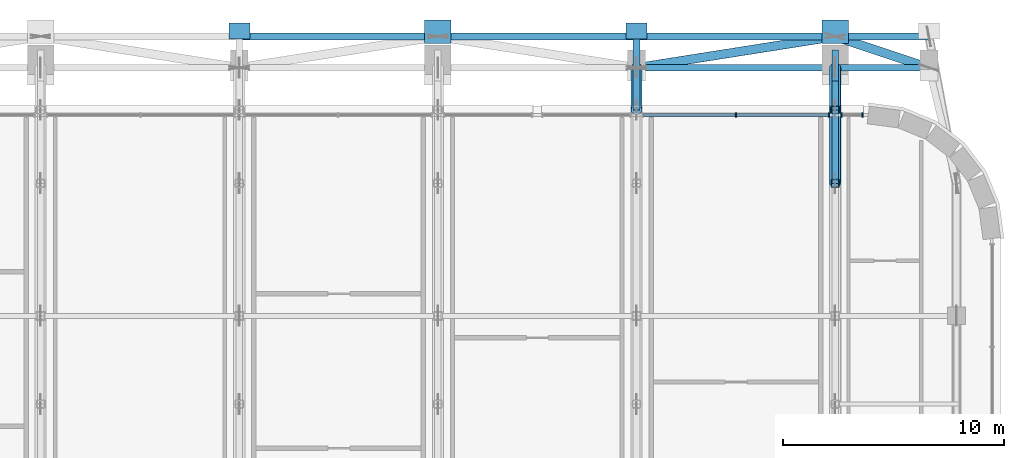
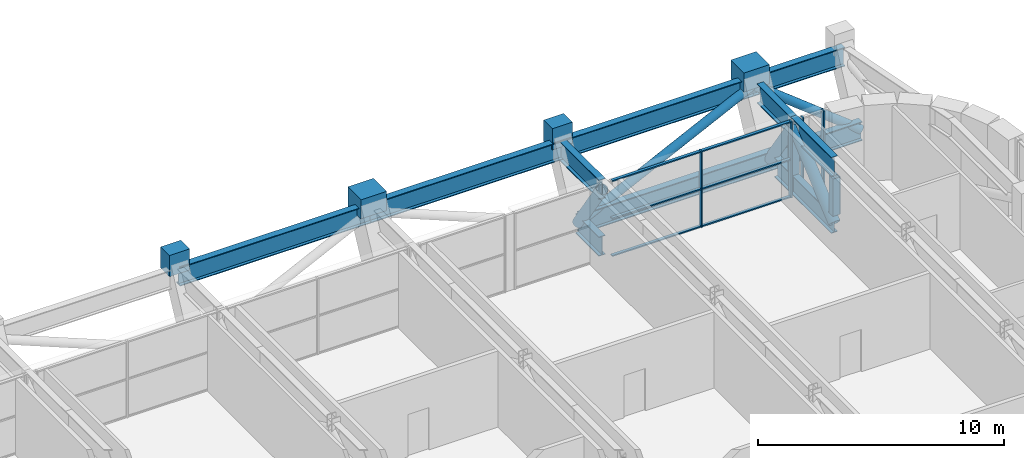
# One storey, part 12 of 28: 29 members, 4 beams, 2 elements without a shape of their own.
"""IFC4 building model written with IfcOpenShell, lengths in metres."""

from ifc_helpers import new_model, si_unit, direction, frame, origin, origin_2d, place, context, subcontext, project, spatial, rectangle, hollow_rectangle, hollow_circle, i_section, extrude, material, material_profile, profile_set, type_object, element, aggregate, save


model = new_model("IFC4")

# Units and contexts
model_context = context("Model", 3, precision=1e-05, world=origin(), true_north=direction((0.0, 1.0)))
body_context = subcontext(model_context, "Body", "Model", "MODEL_VIEW")
ifc_project = project(units=[si_unit("LENGTHUNIT", "METRE"), si_unit("AREAUNIT", "SQUARE_METRE"), si_unit("VOLUMEUNIT", "CUBIC_METRE"), si_unit("PLANEANGLEUNIT", "RADIAN"), si_unit("MASSUNIT", "GRAM", prefix="KILO")], contexts=[model_context])

# Site, building, storey
site_placement = place(None, origin())
site = spatial("IfcSite", under=ifc_project, at=site_placement, CompositionType="ELEMENT")
building_placement = place(site_placement, origin())
building = spatial("IfcBuilding", under=site, at=building_placement, Name="Zellij Exchange Tower", CompositionType="ELEMENT")
storey_placement = place(building_placement, frame((0.0, 0.0, 268.5)))
storey = spatial("IfcBuildingStorey", under=building, at=storey_placement, Name="L63", CompositionType="ELEMENT", Elevation=268.5)

# Curtain wall, members
ifc_material_1 = material(Name="Aluminium frame, clear insulating glass", Category="aluminium")
curtain_wall_type = type_object("IfcCurtainWallType", Name="ENV-CW2 Outrigger-storey glazing", PredefinedType="NOTDEFINED", material=ifc_material_1)
curtain_wall_1_placement = place(storey_placement, origin())
curtain_wall_1 = element("IfcCurtainWall", 1, at=curtain_wall_1_placement, inside=storey, type_object=curtain_wall_type, Name="cw.L63.14a.a", PredefinedType="NOTDEFINED")
ifc_material_2 = material(Name="Aluminium", Category="aluminium")
ifc_material_profile_1 = material_profile(ifc_material_2, rectangle(XDim=0.06005859375, YDim=0.199951171875, at=origin_2d()), Name="AL 60x200")
ifc_profile_set_1 = profile_set([ifc_material_profile_1], Name="Aluminium")
member_type_1 = type_object("IfcMemberType", Name="ENV-CW2M Mullion 60x200", PredefinedType="MULLION", material=ifc_profile_set_1)
member_1_placement = place(storey_placement, frame((28.243896484375, 31.10009765625, 0.0), z_axis=(0.0, 0.0, 1.0), x_axis=(-1.0, 0.0, 0.0)))
member_1 = element("IfcMember", 2, at=member_1_placement, type_object=member_type_1, Name="CW2 mullion 1", PredefinedType="MULLION", context=body_context, shape_type="SweptSolid", body=[
    extrude(rectangle(XDim=0.06005859375, YDim=0.199951171875, at=origin_2d()), origin(), (0.0, 0.0, 1.0), 3.780029296875),
])
member_2_placement = place(storey_placement, frame((27.27978515625, 31.10009765625, 0.0), z_axis=(0.0, 0.0, 1.0), x_axis=(-1.0, 0.0, 0.0)))
member_2 = element("IfcMember", 3, at=member_2_placement, type_object=member_type_1, Name="CW2 mullion 2", PredefinedType="MULLION", context=body_context, shape_type="SweptSolid", body=[
    extrude(rectangle(XDim=0.06005859375, YDim=0.199951171875, at=origin_2d()), origin(), (0.0, 0.0, 1.0), 3.780029296875),
])
aggregate(curtain_wall_1, [member_1, member_2])

curtain_wall_2_placement = place(storey_placement, origin())
curtain_wall_2 = element("IfcCurtainWall", 4, at=curtain_wall_2_placement, inside=storey, type_object=curtain_wall_type, Name="cw.L63.14a.b", PredefinedType="NOTDEFINED")
member_3_placement = place(storey_placement, frame((26.72021484375, 31.10009765625, 0.0), z_axis=(0.0, 0.0, 1.0), x_axis=(-1.0, 0.0, 0.0)))
member_3 = element("IfcMember", 5, at=member_3_placement, type_object=member_type_1, Name="CW2 mullion 1", PredefinedType="MULLION", context=body_context, shape_type="SweptSolid", body=[
    extrude(rectangle(XDim=0.06005859375, YDim=0.199951171875, at=origin_2d()), origin(), (0.0, 0.0, 1.0), 3.780029296875),
])
member_4_placement = place(storey_placement, frame((22.5, 31.10009765625, 0.0), z_axis=(0.0, 0.0, 1.0), x_axis=(-1.0, 0.0, 0.0)))
member_4 = element("IfcMember", 6, at=member_4_placement, type_object=member_type_1, Name="CW2 mullion 2", PredefinedType="MULLION", context=body_context, shape_type="SweptSolid", body=[
    extrude(rectangle(XDim=0.06005859375, YDim=0.199951171875, at=origin_2d()), origin(), (0.0, 0.0, 1.0), 3.780029296875),
])
ifc_material_profile_2 = material_profile(ifc_material_2, rectangle(XDim=0.139892578125, YDim=0.06005859375, at=origin_2d()), Name="AL 140x60")
ifc_profile_set_2 = profile_set([ifc_material_profile_2], Name="Aluminium")
member_type_2 = type_object("IfcMemberType", Name="ENV-CW2T Transom 140x60", PredefinedType="USERDEFINED", material=ifc_profile_set_2)
member_5_placement = place(storey_placement, frame((26.690185546875, 31.10009765625, 0.030029296875), z_axis=(-1.0, 0.0, 0.0), x_axis=(0.0, -1.0, 0.0)))
member_5 = element("IfcMember", 7, at=member_5_placement, type_object=member_type_2, Name="CW2 transom 1.1", ObjectType="TRANSOM", PredefinedType="USERDEFINED", context=body_context, shape_type="SweptSolid", body=[
    extrude(rectangle(XDim=0.139892578125, YDim=0.06005859375, at=origin_2d()), origin(), (0.0, 0.0, 1.0), 4.16015625),
])
member_6_placement = place(storey_placement, frame((26.690185546875, 31.10009765625, 1.889892578125), z_axis=(-1.0, 0.0, 0.0), x_axis=(0.0, -1.0, 0.0)))
member_6 = element("IfcMember", 8, at=member_6_placement, type_object=member_type_2, Name="CW2 transom 1.2", ObjectType="TRANSOM", PredefinedType="USERDEFINED", context=body_context, shape_type="SweptSolid", body=[
    extrude(rectangle(XDim=0.139892578125, YDim=0.06005859375, at=origin_2d()), origin(), (0.0, 0.0, 1.0), 4.16015625),
])
member_7_placement = place(storey_placement, frame((26.690185546875, 31.10009765625, 3.75), z_axis=(-1.0, 0.0, 0.0), x_axis=(0.0, -1.0, 0.0)))
member_7 = element("IfcMember", 9, at=member_7_placement, type_object=member_type_2, Name="CW2 transom 1.3", ObjectType="TRANSOM", PredefinedType="USERDEFINED", context=body_context, shape_type="SweptSolid", body=[
    extrude(rectangle(XDim=0.139892578125, YDim=0.06005859375, at=origin_2d()), origin(), (0.0, 0.0, 1.0), 4.16015625),
])
member_8_placement = place(storey_placement, frame((22.469970703125, 31.10009765625, 0.030029296875), z_axis=(-1.0, 0.0, 0.0), x_axis=(0.0, -1.0, 0.0)))
member_8 = element("IfcMember", 10, at=member_8_placement, type_object=member_type_2, Name="CW2 transom 2.1", ObjectType="TRANSOM", PredefinedType="USERDEFINED", context=body_context, shape_type="SweptSolid", body=[
    extrude(rectangle(XDim=0.139892578125, YDim=0.06005859375, at=origin_2d()), origin(), (0.0, 0.0, 1.0), 4.16015625),
])
member_9_placement = place(storey_placement, frame((22.469970703125, 31.10009765625, 1.889892578125), z_axis=(-1.0, 0.0, 0.0), x_axis=(0.0, -1.0, 0.0)))
member_9 = element("IfcMember", 11, at=member_9_placement, type_object=member_type_2, Name="CW2 transom 2.2", ObjectType="TRANSOM", PredefinedType="USERDEFINED", context=body_context, shape_type="SweptSolid", body=[
    extrude(rectangle(XDim=0.139892578125, YDim=0.06005859375, at=origin_2d()), origin(), (0.0, 0.0, 1.0), 4.16015625),
])
member_10_placement = place(storey_placement, frame((22.469970703125, 31.10009765625, 3.75), z_axis=(-1.0, 0.0, 0.0), x_axis=(0.0, -1.0, 0.0)))
member_10 = element("IfcMember", 12, at=member_10_placement, type_object=member_type_2, Name="CW2 transom 2.3", ObjectType="TRANSOM", PredefinedType="USERDEFINED", context=body_context, shape_type="SweptSolid", body=[
    extrude(rectangle(XDim=0.139892578125, YDim=0.06005859375, at=origin_2d()), origin(), (0.0, 0.0, 1.0), 4.16015625),
])
aggregate(curtain_wall_2, [member_3, member_4, member_5, member_6, member_7, member_8, member_9, member_10])

# Members
ifc_material_3 = material(Name="Structural steel ASTM A992 Gr 50", Category="steel")
ifc_material_profile_3 = material_profile(ifc_material_3, i_section(OverallWidth=0.307373046875, OverallDepth=0.9423828125, WebThickness=0.022216796875, FlangeThickness=0.039794921875, at=origin_2d()), Name="W36x232")
ifc_profile_set_3 = profile_set([ifc_material_profile_3], Name="Structural steel ASTM A992 Gr 50")
member_type_3 = type_object("IfcMemberType", Name="STR-BELT TRUSS CHORD W36x232", PredefinedType="CHORD", material=ifc_profile_set_3)
for number, where, z_axis, x_axis, name in (
    (13, (0.0, 34.654296875, 3.308837890625), (1.0, 0.0, 0.0), (0.0, 1.0, 0.0), "BT1"),
    (14, (9.0, 34.654296875, 3.308837890625), (1.0, 0.0, 0.0), (0.0, 1.0, 0.0), "BT1"),
    (15, (18.0, 33.235595703125, 0.47119140625), (1.0, 0.0, 0.0), (0.0, 1.0, 0.0), "BT1"),
    (16, (18.0, 34.654296875, 3.308837890625), (1.0, 0.0, 0.0), (0.0, 1.0, 0.0), "BT1"),
):
    element("IfcMember", number, at=place(storey_placement, frame(where, z_axis=z_axis, x_axis=x_axis)), inside=storey, type_object=member_type_3, Name=name, PredefinedType="CHORD", context=body_context, shape_type="SweptSolid", body=[
        extrude(i_section(OverallWidth=0.307373046875, OverallDepth=0.9423828125, WebThickness=0.022216796875, FlangeThickness=0.039794921875, at=origin_2d()), origin(), (0.0, 0.0, 1.0), 9.0),
    ])
for number, where, z_axis, x_axis, name in (
    (17, (27.0, 33.235595703125, 0.47119140625), (1.0, 0.0, 0.0), (0.0, 1.0, 0.0), "BT1"),
    (18, (27.0, 34.654296875, 3.308837890625), (1.0, 0.0, 0.0), (0.0, 1.0, 0.0), "BT1"),
):
    element("IfcMember", number, at=place(storey_placement, frame(where, z_axis=z_axis, x_axis=x_axis)), inside=storey, type_object=member_type_3, Name=name, PredefinedType="CHORD", context=body_context, shape_type="SweptSolid", body=[
        extrude(i_section(OverallWidth=0.307373046875, OverallDepth=0.9423828125, WebThickness=0.022216796875, FlangeThickness=0.039794921875, at=origin_2d()), origin(), (0.0, 0.0, 1.0), 4.25),
    ])
ifc_material_4 = material(Name="Structural steel ASTM A500 Gr C", Category="steel")
ifc_material_profile_4 = material_profile(ifc_material_4, hollow_circle(Radius=0.203125, WallThickness=0.01171875, at=origin_2d()), Name="STR-BELT TRUSS DIAGONAL HSS16.000x0.500")
ifc_profile_set_4 = profile_set([ifc_material_profile_4], Name="Structural steel ASTM A500 Gr C")
member_type_4 = type_object("IfcMemberType", Name="STR-BELT TRUSS DIAGONAL HSS16.000x0.500", PredefinedType="BRACE", material=ifc_profile_set_4)
member_11_placement = place(storey_placement, frame((18.0, 33.235595703125, 0.47119140625), z_axis=(0.943119840636, 0.148667247014, 0.297360077792), x_axis=(-0.155710759714, 0.987802692499, 0.0)))
element("IfcMember", 19, at=member_11_placement, inside=storey, type_object=member_type_4, Name="BT2", PredefinedType="BRACE", context=body_context, shape_type="SweptSolid", body=[
    extrude(hollow_circle(Radius=0.203125, WallThickness=0.01171875, at=origin_2d()), origin(), (0.0, 0.0, 1.0), 9.542724609375),
])
member_12_placement = place(storey_placement, frame((27.0, 34.654296875, 3.308837890625), z_axis=(0.801352774401, -0.267501204736, -0.535048443064), x_axis=(0.316636405243, 0.948546987173, 0.0)))
element("IfcMember", 20, at=member_12_placement, inside=storey, type_object=member_type_4, Name="BT2", PredefinedType="BRACE", context=body_context, shape_type="SweptSolid", body=[
    extrude(hollow_circle(Radius=0.203125, WallThickness=0.01171875, at=origin_2d()), origin(), (0.0, 0.0, 1.0), 5.303466796875),
])

# Beams
ifc_material_5 = material(Name="Concrete C50/60", Category="concrete")
ifc_material_profile_5 = material_profile(ifc_material_5, rectangle(XDim=1.199951171875, YDim=0.949951171875, at=origin_2d()), Name="STR-KNUCKLE BLOCK RC1200x950 C50/60")
ifc_profile_set_5 = profile_set([ifc_material_profile_5], Name="Concrete C50/60")
beam_type_1 = type_object("IfcBeamType", Name="STR-KNUCKLE BLOCK RC1200x950 C50/60", PredefinedType="BEAM", material=ifc_profile_set_5)
for number, where, z_axis, x_axis, name in (
    (21, (9.0, 34.3291015625, 3.824951171875), (0.0, 1.0, 0.0), (-1.0, 0.0, 0.0), "KB6"),
    (22, (27.0, 34.3291015625, 3.824951171875), (0.0, 1.0, 0.0), (-1.0, 0.0, 0.0), "KB6"),
):
    element("IfcBeam", number, at=place(storey_placement, frame(where, z_axis=z_axis, x_axis=x_axis)), inside=storey, type_object=beam_type_1, Name=name, PredefinedType="BEAM", context=body_context, shape_type="SweptSolid", body=[
        extrude(rectangle(XDim=1.199951171875, YDim=0.949951171875, at=origin_2d()), origin(), (0.0, 0.0, 1.0), 1.073486328125),
    ])
ifc_material_profile_6 = material_profile(ifc_material_5, rectangle(XDim=0.949951171875, YDim=1.050048828125, at=origin_2d()), Name="STR-KNUCKLE BLOCK RC950x1050 C50/60")
ifc_profile_set_6 = profile_set([ifc_material_profile_6], Name="Concrete C50/60")
beam_type_2 = type_object("IfcBeamType", Name="STR-KNUCKLE BLOCK RC950x1050 C50/60", PredefinedType="BEAM", material=ifc_profile_set_6)
for number, where, z_axis, x_axis, name in (
    (23, (0.0, 34.552734375, 3.97509765625), (0.0, 1.0, 0.0), (-1.0, 0.0, 0.0), "KB1"),
    (24, (18.0, 34.552734375, 3.97509765625), (0.0, 1.0, 0.0), (-1.0, 0.0, 0.0), "KB1"),
):
    element("IfcBeam", number, at=place(storey_placement, frame(where, z_axis=z_axis, x_axis=x_axis)), inside=storey, type_object=beam_type_2, Name=name, PredefinedType="BEAM", context=body_context, shape_type="SweptSolid", body=[
        extrude(rectangle(XDim=0.949951171875, YDim=1.050048828125, at=origin_2d()), origin(), (0.0, 0.0, 1.0), 0.715576171875),
    ])

# Members
ifc_material_6 = material(Name="Structural steel ASTM A913 Gr 65", Category="steel")
ifc_material_profile_7 = material_profile(ifc_material_6, i_section(OverallWidth=0.2998046875, OverallDepth=0.965087890625, WebThickness=0.01904296875, FlangeThickness=0.0361328125, at=origin_2d()), Name="W40x249")
ifc_profile_set_7 = profile_set([ifc_material_profile_7], Name="Structural steel ASTM A913 Gr 65")
member_type_5 = type_object("IfcMemberType", Name="STR-OUTRIGGER TRUSS CHORD W40x249", PredefinedType="CHORD", material=ifc_profile_set_7)
member_13_placement = place(storey_placement, frame((18.0, 31.323974609375, 3.29736328125), z_axis=(0.0, 1.0, 0.0), x_axis=(-1.0, 0.0, 0.0)))
element("IfcMember", 25, at=member_13_placement, inside=storey, type_object=member_type_5, Name="OT1", PredefinedType="CHORD", context=body_context, shape_type="SweptSolid", body=[
    extrude(i_section(OverallWidth=0.2998046875, OverallDepth=0.965087890625, WebThickness=0.01904296875, FlangeThickness=0.0361328125, at=origin_2d()), origin(), (0.0, 0.0, 1.0), 3.32470703125),
])
member_14_placement = place(storey_placement, frame((18.0, 31.323974609375, 0.482666015625), z_axis=(0.0, 1.0, 0.0), x_axis=(-1.0, 0.0, 0.0)))
element("IfcMember", 26, at=member_14_placement, inside=storey, type_object=member_type_5, Name="OT1", PredefinedType="CHORD", context=body_context, shape_type="SweptSolid", body=[
    extrude(i_section(OverallWidth=0.2998046875, OverallDepth=0.965087890625, WebThickness=0.01904296875, FlangeThickness=0.0361328125, at=origin_2d()), origin(), (0.0, 0.0, 1.0), 1.917236328125),
])
for number, where, z_axis, x_axis, name in (
    (27, (27.0, 28.0, 3.29736328125), (0.0, 1.0, 0.0), (-1.0, 0.0, 0.0), "OT1"),
    (28, (27.0, 28.0, 0.482666015625), (0.0, 1.0, 0.0), (-1.0, 0.0, 0.0), "OT1"),
):
    element("IfcMember", number, at=place(storey_placement, frame(where, z_axis=z_axis, x_axis=x_axis)), inside=storey, type_object=member_type_5, Name=name, PredefinedType="CHORD", context=body_context, shape_type="SweptSolid", body=[
        extrude(i_section(OverallWidth=0.2998046875, OverallDepth=0.965087890625, WebThickness=0.01904296875, FlangeThickness=0.0361328125, at=origin_2d()), origin(), (0.0, 0.0, 1.0), 3.323974609375),
    ])
member_15_placement = place(storey_placement, frame((27.0, 31.323974609375, 3.29736328125), z_axis=(0.0, 1.0, 0.0), x_axis=(-1.0, 0.0, 0.0)))
element("IfcMember", 29, at=member_15_placement, inside=storey, type_object=member_type_5, Name="OT1", PredefinedType="CHORD", context=body_context, shape_type="SweptSolid", body=[
    extrude(i_section(OverallWidth=0.2998046875, OverallDepth=0.965087890625, WebThickness=0.01904296875, FlangeThickness=0.0361328125, at=origin_2d()), origin(), (0.0, 0.0, 1.0), 2.724609375),
])
member_16_placement = place(storey_placement, frame((27.0, 31.323974609375, 0.482666015625), z_axis=(0.0, 1.0, 0.0), x_axis=(-1.0, 0.0, 0.0)))
element("IfcMember", 30, at=member_16_placement, inside=storey, type_object=member_type_5, Name="OT1", PredefinedType="CHORD", context=body_context, shape_type="SweptSolid", body=[
    extrude(i_section(OverallWidth=0.2998046875, OverallDepth=0.965087890625, WebThickness=0.01904296875, FlangeThickness=0.0361328125, at=origin_2d()), origin(), (0.0, 0.0, 1.0), 1.3173828125),
])
ifc_material_profile_8 = material_profile(ifc_material_4, hollow_circle(Radius=0.25390625, WallThickness=0.01171875, at=origin_2d()), Name="STR-OUTRIGGER TRUSS DIAGONAL HSS20.000x0.500")
ifc_profile_set_8 = profile_set([ifc_material_profile_8], Name="Structural steel ASTM A500 Gr C")
member_type_6 = type_object("IfcMemberType", Name="STR-OUTRIGGER TRUSS DIAGONAL HSS20.000x0.500", PredefinedType="BRACE", material=ifc_profile_set_8)
member_17_placement = place(storey_placement, frame((18.0, 31.323974609375, 3.29736328125), z_axis=(0.0, 0.562960837411, -0.826483572457), x_axis=(-1.0, 0.0, 0.0)))
element("IfcMember", 31, at=member_17_placement, inside=storey, type_object=member_type_6, Name="OT2", PredefinedType="BRACE", context=body_context, shape_type="SweptSolid", body=[
    extrude(hollow_circle(Radius=0.25390625, WallThickness=0.01171875, at=origin_2d()), origin(), (0.0, 0.0, 1.0), 3.405517578125),
])
member_18_placement = place(storey_placement, frame((27.0, 28.0, 0.482666015625), z_axis=(0.0, 0.763148109098, 0.646223617318), x_axis=(-1.0, 0.0, 0.0)))
element("IfcMember", 32, at=member_18_placement, inside=storey, type_object=member_type_6, Name="OT2", PredefinedType="BRACE", context=body_context, shape_type="SweptSolid", body=[
    extrude(hollow_circle(Radius=0.25390625, WallThickness=0.01171875, at=origin_2d()), origin(), (0.0, 0.0, 1.0), 4.355712890625),
])
member_19_placement = place(storey_placement, frame((27.0, 31.323974609375, 3.29736328125), z_axis=(0.0, 0.562960837411, -0.826483572457), x_axis=(-1.0, 0.0, 0.0)))
element("IfcMember", 33, at=member_19_placement, inside=storey, type_object=member_type_6, Name="OT2", PredefinedType="BRACE", context=body_context, shape_type="SweptSolid", body=[
    extrude(hollow_circle(Radius=0.25390625, WallThickness=0.01171875, at=origin_2d()), origin(), (0.0, 0.0, 1.0), 3.405517578125),
])
ifc_material_profile_9 = material_profile(ifc_material_4, hollow_rectangle(XDim=0.355712890625, YDim=0.355712890625, WallThickness=0.01171875, InnerFilletRadius=0.01171875, OuterFilletRadius=0.023681640625, at=origin_2d()), Name="STR-OUTRIGGER TRUSS POST HSS14x14x1/2")
ifc_profile_set_9 = profile_set([ifc_material_profile_9], Name="Structural steel ASTM A500 Gr C")
member_type_7 = type_object("IfcMemberType", Name="STR-OUTRIGGER TRUSS POST HSS14x14x1/2", PredefinedType="POST", material=ifc_profile_set_9)
for number, where, z_axis, x_axis, name in (
    (34, (27.0, 28.0, 0.965087890625), (0.0, 0.0, 1.0), (1.0, 0.0, 0.0), "OT3"),
    (35, (27.0, 31.323974609375, 0.965087890625), (0.0, 0.0, 1.0), (1.0, 0.0, 0.0), "OT3"),
):
    element("IfcMember", number, at=place(storey_placement, frame(where, z_axis=z_axis, x_axis=x_axis)), inside=storey, type_object=member_type_7, Name=name, PredefinedType="POST", context=body_context, shape_type="SweptSolid", body=[
        extrude(hollow_rectangle(XDim=0.355712890625, YDim=0.355712890625, WallThickness=0.01171875, InnerFilletRadius=0.01171875, OuterFilletRadius=0.023681640625, at=origin_2d()), origin(), (0.0, 0.0, 1.0), 1.849609375),
    ])

save(model, "model.ifc")
